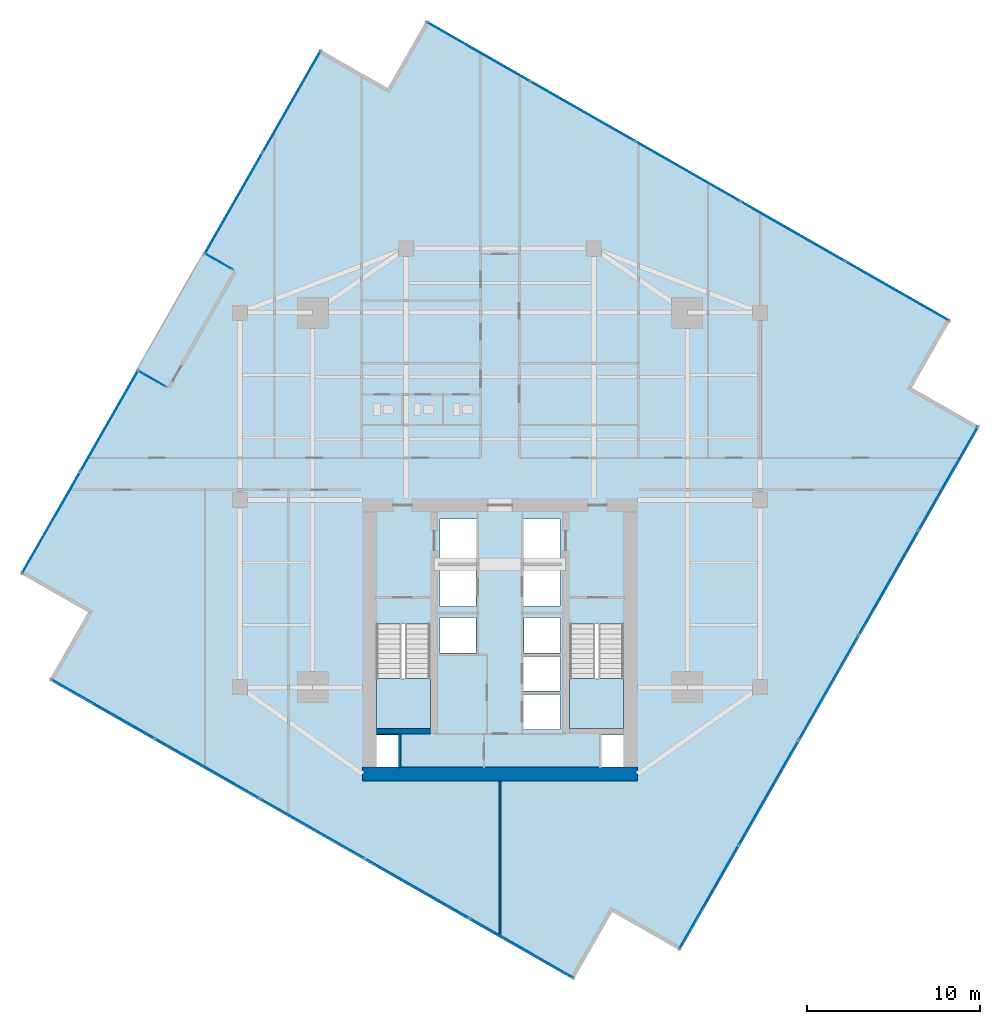
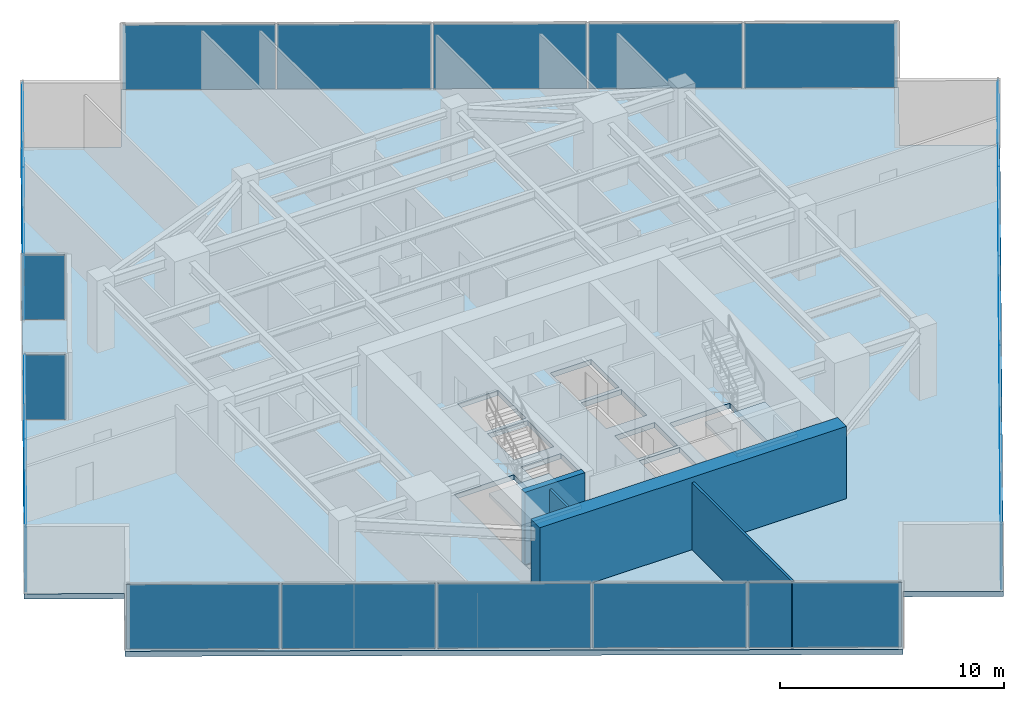
# One storey, part 19 of 24: 21 plates, 4 walls, 3 slabs, 9 elements without a shape of their own.
"""IFC4 building model written with IfcOpenShell, lengths in metres."""

from ifc_helpers import new_model, si_unit, direction, frame, frame_2d, origin, origin_2d, place, context, subcontext, project, spatial, polyline, rectangle, outline, extrude, source, transform, mapped, material, layer, layer_set, type_object, type_shapes, element, aggregate, save


model = new_model("IFC4")

# Units and contexts
model_context = context("Model", 3, precision=1e-05, world=origin(), true_north=direction((0.0, 1.0)))
body_context = subcontext(model_context, "Body", "Model", "MODEL_VIEW")
ifc_project = project(units=[si_unit("LENGTHUNIT", "METRE"), si_unit("AREAUNIT", "SQUARE_METRE"), si_unit("VOLUMEUNIT", "CUBIC_METRE"), si_unit("PLANEANGLEUNIT", "RADIAN"), si_unit("MASSUNIT", "GRAM", prefix="KILO")], contexts=[model_context])

# Site, building, storey
site_placement = place(None, origin())
site = spatial("IfcSite", under=ifc_project, at=site_placement, CompositionType="ELEMENT")
building_placement = place(site_placement, origin())
building = spatial("IfcBuilding", under=site, at=building_placement, Name="Krantzveldt Concourse Tower", CompositionType="ELEMENT")
storey_placement = place(building_placement, frame((0.0, 0.0, 162.0)))
storey = spatial("IfcBuildingStorey", under=building, at=storey_placement, Name="L39", CompositionType="ELEMENT", Elevation=162.0)

# Stair, slab
ifc_material_1 = material(Name="Precast concrete C40/50", Category="concrete")
stair_type = type_object("IfcStairType", Name="STR-CORE-DOGLEG", PredefinedType="HALF_TURN_STAIR", material=ifc_material_1)
stair_1_placement = place(storey_placement, origin())
stair_1 = element("IfcStair", 1, at=stair_1_placement, inside=storey, type_object=stair_type, Name="L39 Protected Escape Stair ST-1", PredefinedType="HALF_TURN_STAIR")
ifc_layer_1 = layer(ifc_material_1, 0.199951171875, Name="Precast concrete C40/50", Category="concrete")
ifc_layer_set_1 = layer_set([ifc_layer_1], Name="Precast concrete C40/50 (SL-LANDING-200)")
slab_type_1 = type_object("IfcSlabType", Name="SL-LANDING-200", PredefinedType="LANDING", material=ifc_layer_set_1)
slab_1_placement = place(storey_placement, frame((0.0, 0.0, 1.77490234375)))
slab_1 = element("IfcSlab", 2, at=slab_1_placement, type_object=slab_type_1, Name="ST-1 landing 1", PredefinedType="LANDING", context=body_context, shape_type="SweptSolid", body=[
    extrude(outline(polyline([(28.8798828125, 16.4150390625), (28.8798828125, 13.52001953125), (31.97998046875, 13.52001953125), (31.97998046875, 16.4150390625), (28.8798828125, 16.4150390625)])), origin(), (0.0, 0.0, 1.0), 0.2001953125),
])
aggregate(stair_1, [slab_1])

stair_2_placement = place(storey_placement, origin())
stair_2 = element("IfcStair", 3, at=stair_2_placement, inside=storey, type_object=stair_type, Name="L39 Protected Escape Stair ST-2", PredefinedType="HALF_TURN_STAIR")
slab_2_placement = place(storey_placement, frame((0.0, 0.0, 1.77490234375)))
slab_2 = element("IfcSlab", 4, at=slab_2_placement, type_object=slab_type_1, Name="ST-2 landing 1", PredefinedType="LANDING", context=body_context, shape_type="SweptSolid", body=[
    extrude(outline(polyline([(40.02001953125, 16.4150390625), (40.02001953125, 13.52001953125), (43.1201171875, 13.52001953125), (43.1201171875, 16.4150390625), (40.02001953125, 16.4150390625)])), origin(), (0.0, 0.0, 1.0), 0.2001953125),
])
aggregate(stair_2, [slab_2])

# Slab
ifc_material_2 = material(Name="Concrete C40/50", Category="concrete")
ifc_layer_2 = layer(ifc_material_2, 0.280029296875, Name="Concrete C40/50", Category="concrete")
ifc_layer_set_2 = layer_set([ifc_layer_2], Name="Concrete C40/50 (SL-SL-TER280)")
slab_type_2 = type_object("IfcSlabType", Name="SL-SL-TER280", PredefinedType="FLOOR", material=ifc_layer_set_2)
slab_3_placement = place(storey_placement, frame((0.0, 0.0, -0.280029296875)))
element("IfcSlab", 5, at=slab_3_placement, inside=storey, type_object=slab_type_2, Name="SL-L39-MAIN", PredefinedType="FLOOR", context=body_context, shape_type="SweptSolid", body=[
    extrude(outline(polyline([(29.527587890625, 50.44091796875), (25.62060546875, 52.673828125), (8.352294921875, 22.46044921875), (12.25927734375, 20.2275390625), (10.026123046875, 16.320556640625), (40.239501953125, -0.94775390625), (42.472412109375, 2.959228515625), (46.37939453125, 0.726318359375), (63.647705078125, 30.939453125), (59.74072265625, 33.172607421875), (61.973876953125, 37.079345703125), (31.760498046875, 54.34765625), (29.527587890625, 50.44091796875)]), holes=[polyline([(28.8798828125, 19.547607421875), (28.8798828125, 13.52001953125), (31.97998046875, 13.52001953125), (31.97998046875, 19.547607421875), (28.8798828125, 19.547607421875)]), polyline([(40.02001953125, 19.547607421875), (40.02001953125, 13.52001953125), (43.1201171875, 13.52001953125), (43.1201171875, 19.547607421875), (40.02001953125, 19.547607421875)]), polyline([(32.550048828125, 23.10009765625), (34.64990234375, 23.10009765625), (34.64990234375, 25.60009765625), (32.550048828125, 25.60009765625), (32.550048828125, 23.10009765625)]), polyline([(37.35009765625, 23.10009765625), (39.449951171875, 23.10009765625), (39.449951171875, 25.60009765625), (37.35009765625, 25.60009765625), (37.35009765625, 23.10009765625)]), polyline([(37.35009765625, 20.60009765625), (39.449951171875, 20.60009765625), (39.449951171875, 22.89990234375), (37.35009765625, 22.89990234375), (37.35009765625, 20.60009765625)]), polyline([(37.35009765625, 13.47998046875), (39.449951171875, 13.47998046875), (39.449951171875, 15.47998046875), (37.35009765625, 15.47998046875), (37.35009765625, 13.47998046875)]), polyline([(37.35009765625, 15.679931640625), (39.449951171875, 15.679931640625), (39.449951171875, 17.679931640625), (37.35009765625, 17.679931640625), (37.35009765625, 15.679931640625)]), polyline([(32.550048828125, 20.550048828125), (34.6201171875, 20.550048828125), (34.6201171875, 22.89990234375), (32.550048828125, 22.89990234375), (32.550048828125, 20.550048828125)]), polyline([(32.550048828125, 17.8798828125), (34.6201171875, 17.8798828125), (34.6201171875, 19.919921875), (32.550048828125, 19.919921875), (32.550048828125, 17.8798828125)]), polyline([(37.3798828125, 17.8798828125), (39.449951171875, 17.8798828125), (39.449951171875, 19.919921875), (37.3798828125, 19.919921875), (37.3798828125, 17.8798828125)]), polyline([(28.8798828125, 11.320068359375), (30.139892578125, 11.320068359375), (30.139892578125, 13.159912109375), (28.8798828125, 13.159912109375), (28.8798828125, 11.320068359375)]), polyline([(41.860107421875, 11.320068359375), (43.1201171875, 11.320068359375), (43.1201171875, 13.159912109375), (41.860107421875, 13.159912109375), (41.860107421875, 11.320068359375)])]), origin(), (0.0, 0.0, 1.0), 0.280029296875),
])

# Curtain wall, plate
ifc_material_3 = material(Name="Anodised aluminium 6063-T6", Category="aluminium")
curtain_wall_type_1 = type_object("IfcCurtainWallType", Name="CW6", PredefinedType="USERDEFINED", material=ifc_material_3)
curtain_wall_1_placement = place(storey_placement, origin())
curtain_wall_1 = element("IfcCurtainWall", 6, at=curtain_wall_1_placement, inside=storey, type_object=curtain_wall_type_1, Name="CW-L39-TR02", ObjectType="UNITISED CURTAIN WALL", PredefinedType="USERDEFINED")
ifc_material_4 = material(Name="Bronze-tinted laminated low-E IGU glass", Category="glass")
ifc_layer_3 = layer(ifc_material_4, 0.031982421875, Name="Bronze-tinted laminated low-E IGU glass", Category="glass")
ifc_layer_set_3 = layer_set([ifc_layer_3], Name="Bronze-tinted laminated low-E IGU glass (CW-GLZ-32)")
plate_type = type_object("IfcPlateType", Name="CW-GLZ-32", PredefinedType="CURTAIN_PANEL", material=ifc_layer_set_3)
shared_shape_1 = source(origin(), body_context, "Body", "SweptSolid", [
    extrude(rectangle(XDim=1.860107421875, YDim=0.031982421875, at=origin_2d()), origin(), (0.0, 0.0, 1.0), 3.530029296875),
])
plate_1_placement = place(storey_placement, frame((19.784912109375, 40.4482421875, 0.06982421875), z_axis=(0.0, 0.0, 1.0), x_axis=(0.86819760013, -0.496218628357, 0.0)))
plate_1 = element("IfcPlate", 7, at=plate_1_placement, type_object=plate_type, Name="CW-TERR panel 1.1", PredefinedType="CURTAIN_PANEL", context=body_context, shape_type="MappedRepresentation", body=[
    mapped(shared_shape_1, transform((0.0, 0.0, 0.0), x_axis=(1.0, 0.0, 0.0), y_axis=(0.0, 1.0, 0.0), z_axis=(0.0, 0.0, 1.0), scale=1.0)),
])
aggregate(curtain_wall_1, [plate_1])

curtain_wall_2_placement = place(storey_placement, origin())
curtain_wall_2 = element("IfcCurtainWall", 8, at=curtain_wall_2_placement, inside=storey, type_object=curtain_wall_type_1, Name="CW-L39-TR04", ObjectType="UNITISED CURTAIN WALL", PredefinedType="USERDEFINED")
plate_2_placement = place(storey_placement, frame((15.92431640625, 33.693603515625, 0.06982421875), z_axis=(0.0, 0.0, 1.0), x_axis=(-0.86819760013, 0.496218628357, 0.0)))
plate_2 = element("IfcPlate", 9, at=plate_2_placement, type_object=plate_type, Name="CW-TERR panel 1.1", PredefinedType="CURTAIN_PANEL", context=body_context, shape_type="MappedRepresentation", body=[
    mapped(shared_shape_1, transform((0.0, 0.0, 0.0), x_axis=(1.0, 0.0, 0.0), y_axis=(0.0, 1.0, 0.0), z_axis=(0.0, 0.0, 1.0), scale=1.0)),
])
aggregate(curtain_wall_2, [plate_2])

# Curtain wall, plates
curtain_wall_type_2 = type_object("IfcCurtainWallType", Name="CW3", PredefinedType="USERDEFINED", material=ifc_material_3)
curtain_wall_3_placement = place(storey_placement, origin())
curtain_wall_3 = element("IfcCurtainWall", 10, at=curtain_wall_3_placement, inside=storey, type_object=curtain_wall_type_2, Name="CW-L39-F08", ObjectType="UNITISED CURTAIN WALL", PredefinedType="USERDEFINED")
shared_shape_2 = source(origin(), body_context, "Body", "SweptSolid", [
    extrude(rectangle(XDim=6.85498046875, YDim=0.031982421875, at=origin_2d()), origin(), (0.0, 0.0, 1.0), 3.530029296875),
])
plate_3_placement = place(storey_placement, frame((13.107421875, 14.663330078125, 0.06982421875), z_axis=(0.0, 0.0, 1.0), x_axis=(0.868198876949, -0.496216394392, 0.0)))
plate_3 = element("IfcPlate", 11, at=plate_3_placement, type_object=plate_type, Name="CW-Z34 panel 1.1", PredefinedType="CURTAIN_PANEL", context=body_context, shape_type="MappedRepresentation", body=[
    mapped(shared_shape_2, transform((0.0, 0.0, 0.0), x_axis=(1.0, 0.0, 0.0), y_axis=(0.0, 1.0, 0.0), z_axis=(0.0, 0.0, 1.0), scale=1.0)),
])
plate_4_placement = place(storey_placement, frame((37.24755859375, 0.865966796875, 0.06982421875), z_axis=(0.0, 0.0, 1.0), x_axis=(0.868198876949, -0.496216394392, 0.0)))
plate_4 = element("IfcPlate", 12, at=plate_4_placement, type_object=plate_type, Name="CW-Z34 panel 5.1", PredefinedType="CURTAIN_PANEL", context=body_context, shape_type="MappedRepresentation", body=[
    mapped(shared_shape_2, transform((0.0, 0.0, 0.0), x_axis=(1.0, 0.0, 0.0), y_axis=(0.0, 1.0, 0.0), z_axis=(0.0, 0.0, 1.0), scale=1.0)),
])

curtain_wall_4_placement = place(storey_placement, origin())
curtain_wall_4 = element("IfcCurtainWall", 13, at=curtain_wall_4_placement, inside=storey, type_object=curtain_wall_type_2, Name="CW-L39-F11", ObjectType="UNITISED CURTAIN WALL", PredefinedType="USERDEFINED")
plate_5_placement = place(storey_placement, frame((48.036865234375, 3.807373046875, 0.06982421875), z_axis=(0.0, 0.0, 1.0), x_axis=(0.496216394392, 0.868198876949, 0.0)))
plate_5 = element("IfcPlate", 14, at=plate_5_placement, type_object=plate_type, Name="CW-Z34 panel 1.1", PredefinedType="CURTAIN_PANEL", context=body_context, shape_type="MappedRepresentation", body=[
    mapped(shared_shape_2, transform((0.0, 0.0, 0.0), x_axis=(1.0, 0.0, 0.0), y_axis=(0.0, 1.0, 0.0), z_axis=(0.0, 0.0, 1.0), scale=1.0)),
])
plate_6_placement = place(storey_placement, frame((61.833984375, 27.94775390625, 0.06982421875), z_axis=(0.0, 0.0, 1.0), x_axis=(0.496216394392, 0.868198876949, 0.0)))
plate_6 = element("IfcPlate", 15, at=plate_6_placement, type_object=plate_type, Name="CW-Z34 panel 5.1", PredefinedType="CURTAIN_PANEL", context=body_context, shape_type="MappedRepresentation", body=[
    mapped(shared_shape_2, transform((0.0, 0.0, 0.0), x_axis=(1.0, 0.0, 0.0), y_axis=(0.0, 1.0, 0.0), z_axis=(0.0, 0.0, 1.0), scale=1.0)),
])

curtain_wall_5_placement = place(storey_placement, origin())
curtain_wall_5 = element("IfcCurtainWall", 16, at=curtain_wall_5_placement, inside=storey, type_object=curtain_wall_type_2, Name="CW-L39-F14", ObjectType="UNITISED CURTAIN WALL", PredefinedType="USERDEFINED")
plate_7_placement = place(storey_placement, frame((58.892578125, 38.73681640625, 0.06982421875), z_axis=(0.0, 0.0, 1.0), x_axis=(-0.868198876949, 0.496216394392, 0.0)))
plate_7 = element("IfcPlate", 17, at=plate_7_placement, type_object=plate_type, Name="CW-Z34 panel 1.1", PredefinedType="CURTAIN_PANEL", context=body_context, shape_type="MappedRepresentation", body=[
    mapped(shared_shape_2, transform((0.0, 0.0, 0.0), x_axis=(1.0, 0.0, 0.0), y_axis=(0.0, 1.0, 0.0), z_axis=(0.0, 0.0, 1.0), scale=1.0)),
])
plate_8_placement = place(storey_placement, frame((34.75244140625, 52.5341796875, 0.06982421875), z_axis=(0.0, 0.0, 1.0), x_axis=(-0.868198876949, 0.496216394392, 0.0)))
plate_8 = element("IfcPlate", 18, at=plate_8_placement, type_object=plate_type, Name="CW-Z34 panel 5.1", PredefinedType="CURTAIN_PANEL", context=body_context, shape_type="MappedRepresentation", body=[
    mapped(shared_shape_2, transform((0.0, 0.0, 0.0), x_axis=(1.0, 0.0, 0.0), y_axis=(0.0, 1.0, 0.0), z_axis=(0.0, 0.0, 1.0), scale=1.0)),
])

# Plate
shared_shape_3 = source(origin(), body_context, "Body", "SweptSolid", [
    extrude(rectangle(XDim=6.889892578125, YDim=0.031982421875, at=origin_2d()), origin(), (0.0, 0.0, 1.0), 3.530029296875),
])
plate_9_placement = place(storey_placement, frame((19.134765625, 11.21826171875, 0.06982421875), z_axis=(0.0, 0.0, 1.0), x_axis=(0.868198876949, -0.496216394392, 0.0)))
plate_9 = element("IfcPlate", 19, at=plate_9_placement, type_object=plate_type, Name="CW-Z34 panel 2.1", PredefinedType="CURTAIN_PANEL", context=body_context, shape_type="MappedRepresentation", body=[
    mapped(shared_shape_3, transform((0.0, 0.0, 0.0), x_axis=(1.0, 0.0, 0.0), y_axis=(0.0, 1.0, 0.0), z_axis=(0.0, 0.0, 1.0), scale=1.0)),
])

plate_10_placement = place(storey_placement, frame((25.177490234375, 7.7646484375, 0.06982421875), z_axis=(0.0, 0.0, 1.0), x_axis=(0.868198876949, -0.496216394392, 0.0)))
plate_10 = element("IfcPlate", 20, at=plate_10_placement, type_object=plate_type, Name="CW-Z34 panel 3.1", PredefinedType="CURTAIN_PANEL", context=body_context, shape_type="MappedRepresentation", body=[
    mapped(shared_shape_3, transform((0.0, 0.0, 0.0), x_axis=(1.0, 0.0, 0.0), y_axis=(0.0, 1.0, 0.0), z_axis=(0.0, 0.0, 1.0), scale=1.0)),
])

plate_11_placement = place(storey_placement, frame((31.22021484375, 4.31103515625, 0.06982421875), z_axis=(0.0, 0.0, 1.0), x_axis=(0.868198876949, -0.496216394392, 0.0)))
plate_11 = element("IfcPlate", 21, at=plate_11_placement, type_object=plate_type, Name="CW-Z34 panel 4.1", PredefinedType="CURTAIN_PANEL", context=body_context, shape_type="MappedRepresentation", body=[
    mapped(shared_shape_3, transform((0.0, 0.0, 0.0), x_axis=(1.0, 0.0, 0.0), y_axis=(0.0, 1.0, 0.0), z_axis=(0.0, 0.0, 1.0), scale=1.0)),
])

aggregate(curtain_wall_3, [plate_3, plate_9, plate_10, plate_11, plate_4])

plate_12_placement = place(storey_placement, frame((51.481689453125, 9.8349609375, 0.06982421875), z_axis=(0.0, 0.0, 1.0), x_axis=(0.496216394392, 0.868198876949, 0.0)))
plate_12 = element("IfcPlate", 22, at=plate_12_placement, type_object=plate_type, Name="CW-Z34 panel 2.1", PredefinedType="CURTAIN_PANEL", context=body_context, shape_type="MappedRepresentation", body=[
    mapped(shared_shape_3, transform((0.0, 0.0, 0.0), x_axis=(1.0, 0.0, 0.0), y_axis=(0.0, 1.0, 0.0), z_axis=(0.0, 0.0, 1.0), scale=1.0)),
])

plate_13_placement = place(storey_placement, frame((54.935302734375, 15.87744140625, 0.06982421875), z_axis=(0.0, 0.0, 1.0), x_axis=(0.496216394392, 0.868198876949, 0.0)))
plate_13 = element("IfcPlate", 23, at=plate_13_placement, type_object=plate_type, Name="CW-Z34 panel 3.1", PredefinedType="CURTAIN_PANEL", context=body_context, shape_type="MappedRepresentation", body=[
    mapped(shared_shape_3, transform((0.0, 0.0, 0.0), x_axis=(1.0, 0.0, 0.0), y_axis=(0.0, 1.0, 0.0), z_axis=(0.0, 0.0, 1.0), scale=1.0)),
])

plate_14_placement = place(storey_placement, frame((58.38916015625, 21.920166015625, 0.06982421875), z_axis=(0.0, 0.0, 1.0), x_axis=(0.496216394392, 0.868198876949, 0.0)))
plate_14 = element("IfcPlate", 24, at=plate_14_placement, type_object=plate_type, Name="CW-Z34 panel 4.1", PredefinedType="CURTAIN_PANEL", context=body_context, shape_type="MappedRepresentation", body=[
    mapped(shared_shape_3, transform((0.0, 0.0, 0.0), x_axis=(1.0, 0.0, 0.0), y_axis=(0.0, 1.0, 0.0), z_axis=(0.0, 0.0, 1.0), scale=1.0)),
])

aggregate(curtain_wall_4, [plate_5, plate_12, plate_13, plate_14, plate_6])

plate_15_placement = place(storey_placement, frame((52.865234375, 42.181640625, 0.06982421875), z_axis=(0.0, 0.0, 1.0), x_axis=(-0.868198876949, 0.496216394392, 0.0)))
plate_15 = element("IfcPlate", 25, at=plate_15_placement, type_object=plate_type, Name="CW-Z34 panel 2.1", PredefinedType="CURTAIN_PANEL", context=body_context, shape_type="MappedRepresentation", body=[
    mapped(shared_shape_3, transform((0.0, 0.0, 0.0), x_axis=(1.0, 0.0, 0.0), y_axis=(0.0, 1.0, 0.0), z_axis=(0.0, 0.0, 1.0), scale=1.0)),
])

plate_16_placement = place(storey_placement, frame((46.822509765625, 45.635498046875, 0.06982421875), z_axis=(0.0, 0.0, 1.0), x_axis=(-0.868198876949, 0.496216394392, 0.0)))
plate_16 = element("IfcPlate", 26, at=plate_16_placement, type_object=plate_type, Name="CW-Z34 panel 3.1", PredefinedType="CURTAIN_PANEL", context=body_context, shape_type="MappedRepresentation", body=[
    mapped(shared_shape_3, transform((0.0, 0.0, 0.0), x_axis=(1.0, 0.0, 0.0), y_axis=(0.0, 1.0, 0.0), z_axis=(0.0, 0.0, 1.0), scale=1.0)),
])

plate_17_placement = place(storey_placement, frame((40.77978515625, 49.089111328125, 0.06982421875), z_axis=(0.0, 0.0, 1.0), x_axis=(-0.868198876949, 0.496216394392, 0.0)))
plate_17 = element("IfcPlate", 27, at=plate_17_placement, type_object=plate_type, Name="CW-Z34 panel 4.1", PredefinedType="CURTAIN_PANEL", context=body_context, shape_type="MappedRepresentation", body=[
    mapped(shared_shape_3, transform((0.0, 0.0, 0.0), x_axis=(1.0, 0.0, 0.0), y_axis=(0.0, 1.0, 0.0), z_axis=(0.0, 0.0, 1.0), scale=1.0)),
])

aggregate(curtain_wall_5, [plate_7, plate_15, plate_16, plate_17, plate_8])

# Curtain wall, plates
curtain_wall_6_placement = place(storey_placement, origin())
curtain_wall_6 = element("IfcCurtainWall", 28, at=curtain_wall_6_placement, inside=storey, type_object=curtain_wall_type_2, Name="CW-L39-F01", ObjectType="UNITISED CURTAIN WALL", PredefinedType="USERDEFINED")
shared_shape_4 = source(origin(), body_context, "Body", "SweptSolid", [
    extrude(rectangle(XDim=6.695068359375, YDim=0.031982421875, at=origin_2d()), origin(), (0.0, 0.0, 1.0), 3.530029296875),
])
type_shapes(plate_type, [shared_shape_1, shared_shape_2, shared_shape_3, shared_shape_4])
plate_18_placement = place(storey_placement, frame((24.0029296875, 49.662109375, 0.06982421875), z_axis=(0.0, 0.0, 1.0), x_axis=(-0.496216379861, -0.868198885255, 0.0)))
plate_18 = element("IfcPlate", 29, at=plate_18_placement, type_object=plate_type, Name="CW-Z34 panel 1.1", PredefinedType="CURTAIN_PANEL", context=body_context, shape_type="MappedRepresentation", body=[
    mapped(shared_shape_4, transform((0.0, 0.0, 0.0), x_axis=(1.0, 0.0, 0.0), y_axis=(0.0, 1.0, 0.0), z_axis=(0.0, 0.0, 1.0), scale=1.0)),
])
plate_19_placement = place(storey_placement, frame((20.64599609375, 43.788818359375, 0.06982421875), z_axis=(0.0, 0.0, 1.0), x_axis=(-0.496216379861, -0.868198885255, 0.0)))
plate_19 = element("IfcPlate", 30, at=plate_19_placement, type_object=plate_type, Name="CW-Z34 panel 2.1", PredefinedType="CURTAIN_PANEL", context=body_context, shape_type="MappedRepresentation", body=[
    mapped(shared_shape_4, transform((0.0, 0.0, 0.0), x_axis=(1.0, 0.0, 0.0), y_axis=(0.0, 1.0, 0.0), z_axis=(0.0, 0.0, 1.0), scale=1.0)),
])
aggregate(curtain_wall_6, [plate_18, plate_19])

curtain_wall_7_placement = place(storey_placement, origin())
curtain_wall_7 = element("IfcCurtainWall", 31, at=curtain_wall_7_placement, inside=storey, type_object=curtain_wall_type_2, Name="CW-L39-F05", ObjectType="UNITISED CURTAIN WALL", PredefinedType="USERDEFINED")
plate_20_placement = place(storey_placement, frame((13.483154296875, 31.25634765625, 0.06982421875), z_axis=(0.0, 0.0, 1.0), x_axis=(-0.496216063073, -0.868199066314, 0.0)))
plate_20 = element("IfcPlate", 32, at=plate_20_placement, type_object=plate_type, Name="CW-Z34 panel 1.1", PredefinedType="CURTAIN_PANEL", context=body_context, shape_type="MappedRepresentation", body=[
    mapped(shared_shape_4, transform((0.0, 0.0, 0.0), x_axis=(1.0, 0.0, 0.0), y_axis=(0.0, 1.0, 0.0), z_axis=(0.0, 0.0, 1.0), scale=1.0)),
])
plate_21_placement = place(storey_placement, frame((10.126220703125, 25.3828125, 0.06982421875), z_axis=(0.0, 0.0, 1.0), x_axis=(-0.496216063073, -0.868199066314, 0.0)))
plate_21 = element("IfcPlate", 33, at=plate_21_placement, type_object=plate_type, Name="CW-Z34 panel 2.1", PredefinedType="CURTAIN_PANEL", context=body_context, shape_type="MappedRepresentation", body=[
    mapped(shared_shape_4, transform((0.0, 0.0, 0.0), x_axis=(1.0, 0.0, 0.0), y_axis=(0.0, 1.0, 0.0), z_axis=(0.0, 0.0, 1.0), scale=1.0)),
])
aggregate(curtain_wall_7, [plate_20, plate_21])

# Walls
ifc_material_5 = material(Name="Fire-rated gypsum plasterboard on steel stud", Category="steel")
ifc_layer_4 = layer(ifc_material_5, 0.1201171875, Name="Fire-rated gypsum plasterboard on steel stud", Category="steel")
ifc_layer_set_4 = layer_set([ifc_layer_4], Name="Fire-rated gypsum plasterboard on steel stud (WL-PART-120)")
wall_type_1 = type_object("IfcWallType", Name="WL-PART-120", PredefinedType="PARTITIONING", material=ifc_layer_set_4)
wall_1_placement = place(storey_placement, frame((36.0, 1.5791015625, 0.0), z_axis=(0.0, 0.0, 1.0), x_axis=(0.0, 1.0, 0.0)))
element("IfcWall", 34, at=wall_1_placement, inside=storey, type_object=wall_type_1, Name="WP-L39-SMID", PredefinedType="PARTITIONING", context=body_context, shape_type="SweptSolid", body=[
    extrude(rectangle(XDim=8.9208984375, YDim=0.1201171875, at=frame_2d((4.46044921875, 0.0))), origin(), (0.0, 0.0, 1.0), 3.669921875),
])
ifc_layer_5 = layer(ifc_material_5, 0.139892578125, Name="Fire-rated gypsum plasterboard on steel stud", Category="steel")
ifc_layer_set_5 = layer_set([ifc_layer_5], Name="Fire-rated gypsum plasterboard on steel stud (WL-PART-FR140)")
wall_type_2 = type_object("IfcWallType", Name="WL-PART-FR140", PredefinedType="PARTITIONING", material=ifc_layer_set_5)
wall_2_placement = place(storey_placement, frame((30.219970703125, 11.25, 0.0), z_axis=(0.0, 0.0, 1.0), x_axis=(0.0, 1.0, 0.0)))
element("IfcWall", 35, at=wall_2_placement, inside=storey, type_object=wall_type_2, Name="WP-L39-RSW", PredefinedType="PARTITIONING", context=body_context, shape_type="SweptSolid", body=[
    extrude(rectangle(XDim=1.969970703125, YDim=0.1201171875, at=frame_2d((0.98486328125, 0.0))), origin(), (0.0, 0.0, 1.0), 3.669921875),
])
ifc_material_6 = material(Name="Concrete C50/60", Category="concrete")
ifc_layer_6 = layer(ifc_material_6, 0.300048828125, Name="Concrete C50/60", Category="concrete")
ifc_layer_set_6 = layer_set([ifc_layer_6], Name="Concrete C50/60 (WL-SHEAR-300)")
wall_type_3 = type_object("IfcWallType", Name="WL-SHEAR-300", PredefinedType="SHEAR", material=ifc_layer_set_6)
wall_3_placement = place(storey_placement, frame((28.8798828125, 13.3701171875, 0.0), z_axis=(0.0, 0.0, 1.0), x_axis=(1.0, 0.0, 0.0)))
element("IfcWall", 36, at=wall_3_placement, inside=storey, type_object=wall_type_3, Name="CW-L39-ST1S", PredefinedType="SHEAR", context=body_context, shape_type="SweptSolid", body=[
    extrude(rectangle(XDim=3.10009765625, YDim=0.300048828125, at=frame_2d((1.550048828125, 0.0))), origin(), (0.0, 0.0, 1.0), 3.949951171875),
])
ifc_material_7 = material(Name="Concrete C60/75", Category="concrete")
ifc_layer_7 = layer(ifc_material_7, 0.800048828125, Name="Concrete C60/75", Category="concrete")
ifc_layer_set_7 = layer_set([ifc_layer_7], Name="Concrete C60/75 (WL-SHEAR-800)")
wall_type_4 = type_object("IfcWallType", Name="WL-SHEAR-800", PredefinedType="SHEAR", material=ifc_layer_set_7)
wall_4_placement = place(storey_placement, frame((28.080078125, 10.89990234375, 0.0), z_axis=(0.0, 0.0, 1.0), x_axis=(1.0, 0.0, 0.0)))
element("IfcWall", 37, at=wall_4_placement, inside=storey, type_object=wall_type_4, Name="CW-L39-S", PredefinedType="SHEAR", context=body_context, shape_type="SweptSolid", body=[
    extrude(rectangle(XDim=15.83984375, YDim=0.800048828125, at=frame_2d((7.919921875, 0.0))), origin(), (0.0, 0.0, 1.0), 3.949951171875),
])

save(model, "model.ifc")
